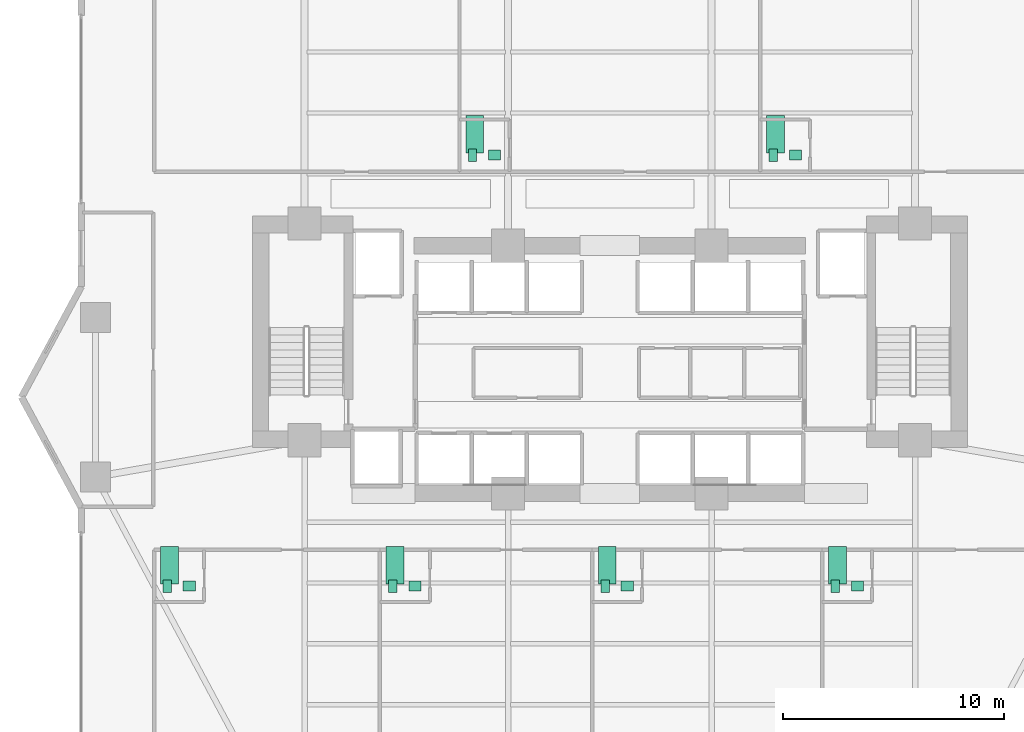
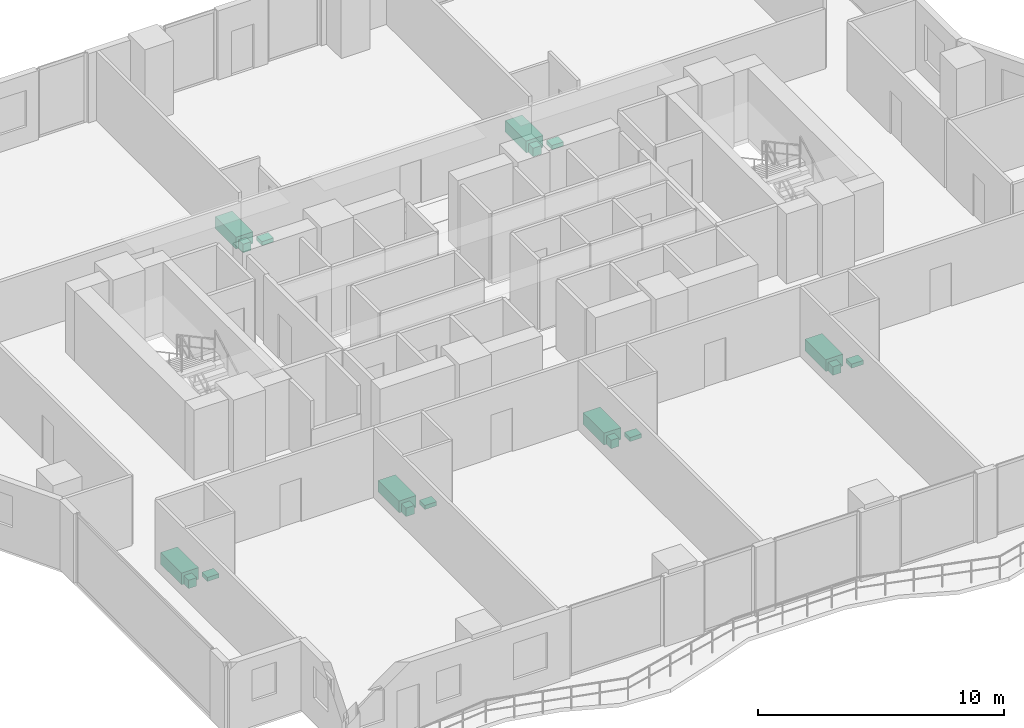
# One storey, part 28 of 28: 18 sanitary terminals.
"""IFC4 building model written with IfcOpenShell, lengths in metres."""

from ifc_helpers import new_model, si_unit, direction, frame, origin, origin_2d, place, context, subcontext, project, spatial, rectangle, extrude, material, type_object, element, save


model = new_model("IFC4")

# Units and contexts
model_context = context("Model", 3, precision=1e-05, world=origin(), true_north=direction((0.0, 1.0)))
body_context = subcontext(model_context, "Body", "Model", "MODEL_VIEW")
ifc_project = project(units=[si_unit("LENGTHUNIT", "METRE"), si_unit("AREAUNIT", "SQUARE_METRE"), si_unit("VOLUMEUNIT", "CUBIC_METRE"), si_unit("PLANEANGLEUNIT", "RADIAN"), si_unit("MASSUNIT", "GRAM", prefix="KILO")], contexts=[model_context])

# Site, building, storey
site_placement = place(None, origin())
site = spatial("IfcSite", under=ifc_project, at=site_placement, CompositionType="ELEMENT")
building_placement = place(site_placement, origin())
building = spatial("IfcBuilding", under=site, at=building_placement, Name="Zuhayl Quay Hotel", CompositionType="ELEMENT")
storey_placement = place(building_placement, frame((0.0, 0.0, 143.10009765625)))
storey = spatial("IfcBuildingStorey", under=building, at=storey_placement, Name="L36", CompositionType="ELEMENT", Elevation=143.10009765625)

# Sanitary terminals
ifc_material = material(Name="Vitreous Porcelain Sanitaryware")
sanitary_terminal_type_1 = type_object("IfcSanitaryTerminalType", Name="SAN_BASIN", PredefinedType="WASHHANDBASIN", material=ifc_material)
for number, where, z_axis, x_axis, name in (
    (1, (-5.2099609375, 17.43994140625, 0.0), (0.0, 0.0, 1.0), (1.0, 0.0, 0.0), "L36 Sanitary Fixture WASHHANDBASIN"),
    (2, (8.389892578125, 17.43994140625, 0.0), (0.0, 0.0, 1.0), (1.0, 0.0, 0.0), "L36 Sanitary Fixture WASHHANDBASIN"),
    (3, (-19.010009765625, -2.0400390625, 0.0), (0.0, 0.0, 1.0), (1.0, 0.0, 0.0), "L36 Sanitary Fixture WASHHANDBASIN"),
    (4, (-8.81005859375, -2.0400390625, 0.0), (0.0, 0.0, 1.0), (1.0, 0.0, 0.0), "L36 Sanitary Fixture WASHHANDBASIN"),
    (5, (0.7900390625, -2.0400390625, 0.0), (0.0, 0.0, 1.0), (1.0, 0.0, 0.0), "L36 Sanitary Fixture WASHHANDBASIN"),
    (6, (11.18994140625, -2.0400390625, 0.0), (0.0, 0.0, 1.0), (1.0, 0.0, 0.0), "L36 Sanitary Fixture WASHHANDBASIN"),
):
    element("IfcSanitaryTerminal", number, at=place(storey_placement, frame(where, z_axis=z_axis, x_axis=x_axis)), inside=storey, type_object=sanitary_terminal_type_1, Name=name, PredefinedType="WASHHANDBASIN", context=body_context, shape_type="SweptSolid", body=[
        extrude(rectangle(XDim=0.550048828125, YDim=0.449951171875, at=origin_2d()), origin(), (0.0, 0.0, 1.0), 0.199951171875),
    ])
sanitary_terminal_type_2 = type_object("IfcSanitaryTerminalType", Name="SAN_BATH", PredefinedType="BATH", material=ifc_material)
for number, where, z_axis, x_axis, name in (
    (7, (-6.110107421875, 18.389892578125, -0.000244140625), (0.0, 0.0, 1.0), (1.0, 0.0, 0.0), "L36 Sanitary Fixture BATH"),
    (8, (7.489990234375, 18.389892578125, -0.000244140625), (0.0, 0.0, 1.0), (1.0, 0.0, 0.0), "L36 Sanitary Fixture BATH"),
    (9, (-19.909912109375, -1.090087890625, -0.000244140625), (0.0, 0.0, 1.0), (1.0, 0.0, 0.0), "L36 Sanitary Fixture BATH"),
    (10, (-9.7099609375, -1.090087890625, -0.000244140625), (0.0, 0.0, 1.0), (1.0, 0.0, 0.0), "L36 Sanitary Fixture BATH"),
    (11, (-0.110107421875, -1.090087890625, -0.000244140625), (0.0, 0.0, 1.0), (1.0, 0.0, 0.0), "L36 Sanitary Fixture BATH"),
    (12, (10.2900390625, -1.090087890625, -0.000244140625), (0.0, 0.0, 1.0), (1.0, 0.0, 0.0), "L36 Sanitary Fixture BATH"),
):
    element("IfcSanitaryTerminal", number, at=place(storey_placement, frame(where, z_axis=z_axis, x_axis=x_axis)), inside=storey, type_object=sanitary_terminal_type_2, Name=name, PredefinedType="BATH", context=body_context, shape_type="SweptSolid", body=[
        extrude(rectangle(XDim=0.800048828125, YDim=1.699951171875, at=origin_2d()), origin(), (0.0, 0.0, 1.0), 0.580078125),
    ])
sanitary_terminal_type_3 = type_object("IfcSanitaryTerminalType", Name="SAN_WC", PredefinedType="TOILETPAN", material=ifc_material)
for number, where, z_axis, x_axis, name in (
    (13, (-6.2099609375, 17.43994140625, 0.0), (0.0, 0.0, 1.0), (1.0, 0.0, 0.0), "L36 Sanitary Fixture TOILETPAN"),
    (14, (7.389892578125, 17.43994140625, 0.0), (0.0, 0.0, 1.0), (1.0, 0.0, 0.0), "L36 Sanitary Fixture TOILETPAN"),
    (15, (-20.010009765625, -2.0400390625, 0.0), (0.0, 0.0, 1.0), (1.0, 0.0, 0.0), "L36 Sanitary Fixture TOILETPAN"),
    (16, (-9.81005859375, -2.0400390625, 0.0), (0.0, 0.0, 1.0), (1.0, 0.0, 0.0), "L36 Sanitary Fixture TOILETPAN"),
    (17, (-0.2099609375, -2.0400390625, 0.0), (0.0, 0.0, 1.0), (1.0, 0.0, 0.0), "L36 Sanitary Fixture TOILETPAN"),
    (18, (10.18994140625, -2.0400390625, 0.0), (0.0, 0.0, 1.0), (1.0, 0.0, 0.0), "L36 Sanitary Fixture TOILETPAN"),
):
    element("IfcSanitaryTerminal", number, at=place(storey_placement, frame(where, z_axis=z_axis, x_axis=x_axis)), inside=storey, type_object=sanitary_terminal_type_3, Name=name, PredefinedType="TOILETPAN", context=body_context, shape_type="SweptSolid", body=[
        extrude(rectangle(XDim=0.3798828125, YDim=0.56005859375, at=origin_2d()), origin(), (0.0, 0.0, 1.0), 0.419921875),
    ])

save(model, "model.ifc")
